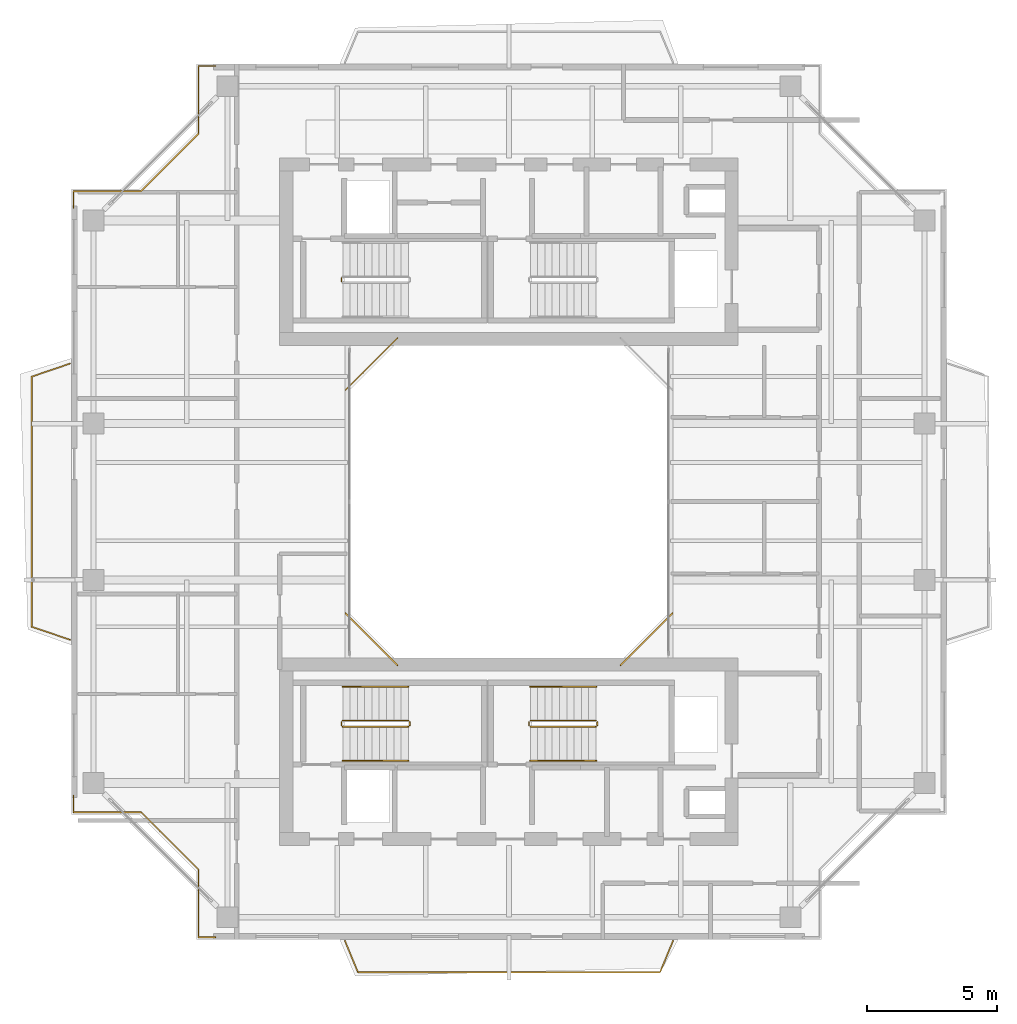
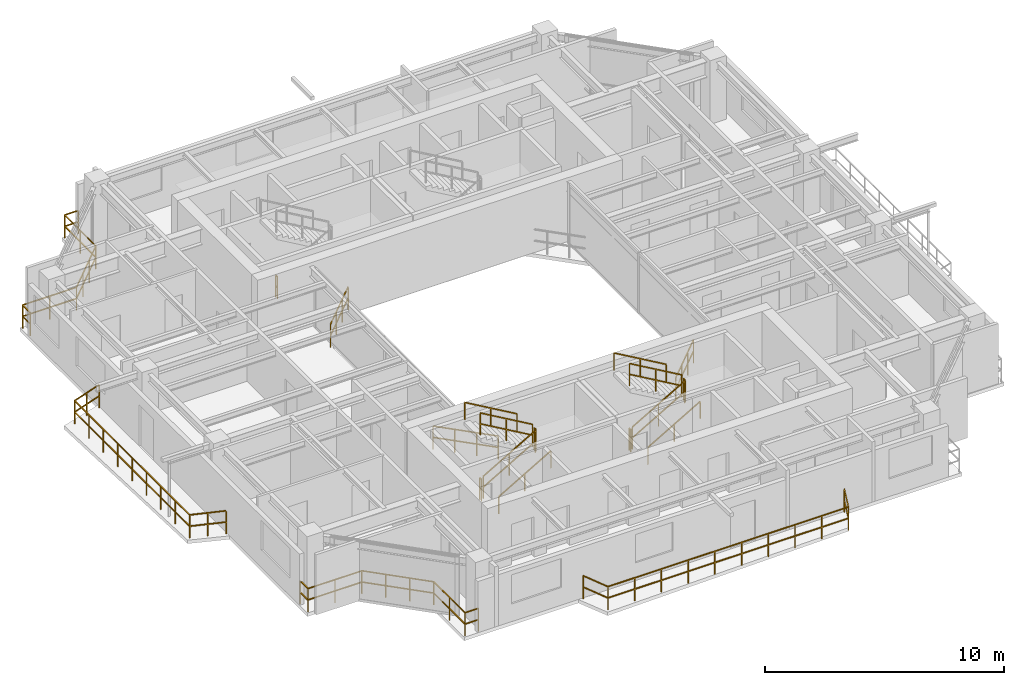
# One storey, part 14 of 15: 20 railings.
"""IFC4 building model written with IfcOpenShell, lengths in metres."""

from ifc_helpers import new_model, si_unit, direction, frame, origin, origin_2d, place, context, subcontext, project, spatial, rectangle, extrude, material, type_object, element, save


model = new_model("IFC4")

# Units and contexts
model_context = context("Model", 3, precision=1e-05, world=origin(), true_north=direction((0.0, 1.0)))
body_context = subcontext(model_context, "Body", "Model", "MODEL_VIEW")
ifc_project = project(units=[si_unit("LENGTHUNIT", "METRE"), si_unit("AREAUNIT", "SQUARE_METRE"), si_unit("VOLUMEUNIT", "CUBIC_METRE"), si_unit("PLANEANGLEUNIT", "RADIAN"), si_unit("MASSUNIT", "GRAM", prefix="KILO"), si_unit("THERMODYNAMICTEMPERATUREUNIT", "KELVIN"), si_unit("POWERUNIT", "WATT")], contexts=[model_context])

# Site, building, storey
site_placement = place(None, origin())
site = spatial("IfcSite", under=ifc_project, at=site_placement, CompositionType="ELEMENT")
building_placement = place(site_placement, origin())
building = spatial("IfcBuilding", under=site, at=building_placement, Name="Qiaomeng Ring Towers", CompositionType="ELEMENT")
storey_placement = place(building_placement, frame((0.0, 0.0, 200.25)))
storey = spatial("IfcBuildingStorey", under=building, at=storey_placement, Name="L58", CompositionType="ELEMENT", Elevation=200.25)

# Railings
ifc_material_1 = material(Name="Low-E pale-green laminated safety glass", Category="glass")
railing_type_1 = type_object("IfcRailingType", Name="ARC-RL-BAL1", PredefinedType="BALUSTRADE", material=ifc_material_1)
railing_1_placement = place(storey_placement, frame((23.280029296875, 16.719970703125, 0.0)))
element("IfcRailing", 1, at=railing_1_placement, inside=storey, type_object=railing_type_1, Name="L58 Balustrade ARC-BAL-WELL1-L58-1", PredefinedType="BALUSTRADE", context=body_context, shape_type="SweptSolid", body=[
    extrude(rectangle(XDim=0.048095703125, YDim=0.048095703125, at=origin_2d()), frame((0.0, 0.0, 1.17578125), z_axis=(0.707106781187, 0.707106781187, 0.0), x_axis=(-0.707106781187, 0.707106781187, 0.0)), (0.0, 0.0, 1.0), 2.828369140625),
    extrude(rectangle(XDim=0.048095703125, YDim=0.048095703125, at=origin_2d()), frame((0.0, 0.0, 0.60009765625), z_axis=(0.707106781187, 0.707106781187, 0.0), x_axis=(-0.707106781187, 0.707106781187, 0.0)), (0.0, 0.0, 1.0), 2.828369140625),
    extrude(rectangle(XDim=0.0419921875, YDim=0.0419921875, at=origin_2d()), origin(), (0.0, 0.0, 1.0), 1.15185546875),
    extrude(rectangle(XDim=0.0419921875, YDim=0.0419921875, at=origin_2d()), frame((0.666748046875, 0.666748046875, 0.0)), (0.0, 0.0, 1.0), 1.15185546875),
    extrude(rectangle(XDim=0.0419921875, YDim=0.0419921875, at=origin_2d()), frame((1.333251953125, 1.333251953125, 0.0)), (0.0, 0.0, 1.0), 1.15185546875),
    extrude(rectangle(XDim=0.0419921875, YDim=0.0419921875, at=origin_2d()), frame((2.0, 2.0, 0.0)), (0.0, 0.0, 1.0), 1.15185546875),
])
railing_2_placement = place(storey_placement, frame((14.719970703125, 29.280029296875, 0.0)))
element("IfcRailing", 2, at=railing_2_placement, inside=storey, type_object=railing_type_1, Name="L58 Balustrade ARC-BAL-WELL1-L58-3", PredefinedType="BALUSTRADE", context=body_context, shape_type="SweptSolid", body=[
    extrude(rectangle(XDim=0.048095703125, YDim=0.048095703125, at=origin_2d()), frame((0.0, 0.0, 1.17578125), z_axis=(-0.707106781187, -0.707106781187, 0.0), x_axis=(0.707106781187, -0.707106781187, 0.0)), (0.0, 0.0, 1.0), 2.828369140625),
    extrude(rectangle(XDim=0.048095703125, YDim=0.048095703125, at=origin_2d()), frame((0.0, 0.0, 0.60009765625), z_axis=(-0.707106781187, -0.707106781187, 0.0), x_axis=(0.707106781187, -0.707106781187, 0.0)), (0.0, 0.0, 1.0), 2.828369140625),
    extrude(rectangle(XDim=0.0419921875, YDim=0.0419921875, at=origin_2d()), origin(), (0.0, 0.0, 1.0), 1.15185546875),
    extrude(rectangle(XDim=0.0419921875, YDim=0.0419921875, at=origin_2d()), frame((-0.666748046875, -0.666748046875, 0.0)), (0.0, 0.0, 1.0), 1.15185546875),
    extrude(rectangle(XDim=0.0419921875, YDim=0.0419921875, at=origin_2d()), frame((-1.333251953125, -1.333251953125, 0.0)), (0.0, 0.0, 1.0), 1.15185546875),
    extrude(rectangle(XDim=0.0419921875, YDim=0.0419921875, at=origin_2d()), frame((-2.0, -2.0, 0.0)), (0.0, 0.0, 1.0), 1.15185546875),
])
railing_3_placement = place(storey_placement, frame((12.719970703125, 18.719970703125, 0.0)))
element("IfcRailing", 3, at=railing_3_placement, inside=storey, type_object=railing_type_1, Name="L58 Balustrade ARC-BAL-WELL1-L58-4", PredefinedType="BALUSTRADE", context=body_context, shape_type="SweptSolid", body=[
    extrude(rectangle(XDim=0.048095703125, YDim=0.048095703125, at=origin_2d()), frame((0.0, 0.0, 1.17578125), z_axis=(0.707106781187, -0.707106781187, 0.0), x_axis=(0.707106781187, 0.707106781187, 0.0)), (0.0, 0.0, 1.0), 2.828369140625),
    extrude(rectangle(XDim=0.048095703125, YDim=0.048095703125, at=origin_2d()), frame((0.0, 0.0, 0.60009765625), z_axis=(0.707106781187, -0.707106781187, 0.0), x_axis=(0.707106781187, 0.707106781187, 0.0)), (0.0, 0.0, 1.0), 2.828369140625),
    extrude(rectangle(XDim=0.0419921875, YDim=0.0419921875, at=origin_2d()), origin(), (0.0, 0.0, 1.0), 1.15185546875),
    extrude(rectangle(XDim=0.0419921875, YDim=0.0419921875, at=origin_2d()), frame((0.666748046875, -0.666748046875, 0.0)), (0.0, 0.0, 1.0), 1.15185546875),
    extrude(rectangle(XDim=0.0419921875, YDim=0.0419921875, at=origin_2d()), frame((1.333251953125, -1.333251953125, 0.0)), (0.0, 0.0, 1.0), 1.15185546875),
    extrude(rectangle(XDim=0.0419921875, YDim=0.0419921875, at=origin_2d()), frame((2.0, -2.0, 0.0)), (0.0, 0.0, 1.0), 1.15185546875),
])
railing_4_placement = place(storey_placement, frame((7.72998046875, 39.719970703125, 0.0)))
element("IfcRailing", 4, at=railing_4_placement, inside=storey, type_object=railing_type_1, Name="L58 Balustrade ARC-BAL-NOTCH1-L58-NW", PredefinedType="BALUSTRADE", context=body_context, shape_type="SweptSolid", body=[
    extrude(rectangle(XDim=0.048095703125, YDim=0.048095703125, at=origin_2d()), frame((0.0, 0.0, 1.17578125), z_axis=(-1.0, 0.0, 0.0), x_axis=(0.0, -1.0, 0.0)), (0.0, 0.0, 1.0), 0.64990234375),
    extrude(rectangle(XDim=0.048095703125, YDim=0.048095703125, at=origin_2d()), frame((0.0, 0.0, 0.60009765625), z_axis=(-1.0, 0.0, 0.0), x_axis=(0.0, -1.0, 0.0)), (0.0, 0.0, 1.0), 0.64990234375),
    extrude(rectangle(XDim=0.048095703125, YDim=0.048095703125, at=origin_2d()), frame((-0.64990234375, 0.0, 1.17578125), z_axis=(0.0, -1.0, 0.0), x_axis=(1.0, 0.0, 0.0)), (0.0, 0.0, 1.0), 2.599853515625),
    extrude(rectangle(XDim=0.048095703125, YDim=0.048095703125, at=origin_2d()), frame((-0.64990234375, 0.0, 0.60009765625), z_axis=(0.0, -1.0, 0.0), x_axis=(1.0, 0.0, 0.0)), (0.0, 0.0, 1.0), 2.599853515625),
    extrude(rectangle(XDim=0.048095703125, YDim=0.048095703125, at=origin_2d()), frame((-0.64990234375, -2.599853515625, 1.17578125), z_axis=(-0.707106781187, -0.707106781187, 0.0), x_axis=(0.707106781187, -0.707106781187, 0.0)), (0.0, 0.0, 1.0), 3.111572265625),
    extrude(rectangle(XDim=0.048095703125, YDim=0.048095703125, at=origin_2d()), frame((-0.64990234375, -2.599853515625, 0.60009765625), z_axis=(-0.707106781187, -0.707106781187, 0.0), x_axis=(0.707106781187, -0.707106781187, 0.0)), (0.0, 0.0, 1.0), 3.111572265625),
    extrude(rectangle(XDim=0.048095703125, YDim=0.048095703125, at=origin_2d()), frame((-2.85009765625, -4.800048828125, 1.17578125), z_axis=(-1.0, 0.0, 0.0), x_axis=(0.0, -1.0, 0.0)), (0.0, 0.0, 1.0), 2.599853515625),
    extrude(rectangle(XDim=0.048095703125, YDim=0.048095703125, at=origin_2d()), frame((-2.85009765625, -4.800048828125, 0.60009765625), z_axis=(-1.0, 0.0, 0.0), x_axis=(0.0, -1.0, 0.0)), (0.0, 0.0, 1.0), 2.599853515625),
    extrude(rectangle(XDim=0.048095703125, YDim=0.048095703125, at=origin_2d()), frame((-5.449951171875, -4.800048828125, 1.17578125), z_axis=(0.0, -1.0, 0.0), x_axis=(1.0, 0.0, 0.0)), (0.0, 0.0, 1.0), 0.64990234375),
    extrude(rectangle(XDim=0.048095703125, YDim=0.048095703125, at=origin_2d()), frame((-5.449951171875, -4.800048828125, 0.60009765625), z_axis=(0.0, -1.0, 0.0), x_axis=(1.0, 0.0, 0.0)), (0.0, 0.0, 1.0), 0.64990234375),
    extrude(rectangle(XDim=0.0419921875, YDim=0.0419921875, at=origin_2d()), origin(), (0.0, 0.0, 1.0), 1.15185546875),
    extrude(rectangle(XDim=0.0419921875, YDim=0.0419921875, at=origin_2d()), frame((-0.64990234375, 0.0, 0.0)), (0.0, 0.0, 1.0), 1.15185546875),
    extrude(rectangle(XDim=0.0419921875, YDim=0.0419921875, at=origin_2d()), frame((-0.64990234375, -1.2998046875, 0.0)), (0.0, 0.0, 1.0), 1.15185546875),
    extrude(rectangle(XDim=0.0419921875, YDim=0.0419921875, at=origin_2d()), frame((-0.64990234375, -2.599853515625, 0.0)), (0.0, 0.0, 1.0), 1.15185546875),
    extrude(rectangle(XDim=0.0419921875, YDim=0.0419921875, at=origin_2d()), frame((-1.38330078125, -3.333251953125, 0.0)), (0.0, 0.0, 1.0), 1.15185546875),
    extrude(rectangle(XDim=0.0419921875, YDim=0.0419921875, at=origin_2d()), frame((-2.11669921875, -4.066650390625, 0.0)), (0.0, 0.0, 1.0), 1.15185546875),
    extrude(rectangle(XDim=0.0419921875, YDim=0.0419921875, at=origin_2d()), frame((-2.85009765625, -4.800048828125, 0.0)), (0.0, 0.0, 1.0), 1.15185546875),
    extrude(rectangle(XDim=0.0419921875, YDim=0.0419921875, at=origin_2d()), frame((-4.14990234375, -4.800048828125, 0.0)), (0.0, 0.0, 1.0), 1.15185546875),
    extrude(rectangle(XDim=0.0419921875, YDim=0.0419921875, at=origin_2d()), frame((-5.449951171875, -4.800048828125, 0.0)), (0.0, 0.0, 1.0), 1.15185546875),
    extrude(rectangle(XDim=0.0419921875, YDim=0.0419921875, at=origin_2d()), frame((-5.449951171875, -5.449951171875, 0.0)), (0.0, 0.0, 1.0), 1.15185546875),
])
railing_5_placement = place(storey_placement, frame((2.280029296875, 11.72998046875, 0.0)))
element("IfcRailing", 5, at=railing_5_placement, inside=storey, type_object=railing_type_1, Name="L58 Balustrade ARC-BAL-NOTCH1-L58-SW", PredefinedType="BALUSTRADE", context=body_context, shape_type="SweptSolid", body=[
    extrude(rectangle(XDim=0.048095703125, YDim=0.048095703125, at=origin_2d()), frame((0.0, 0.0, 1.17578125), z_axis=(0.0, -1.0, 0.0), x_axis=(1.0, 0.0, 0.0)), (0.0, 0.0, 1.0), 0.64990234375),
    extrude(rectangle(XDim=0.048095703125, YDim=0.048095703125, at=origin_2d()), frame((0.0, 0.0, 0.60009765625), z_axis=(0.0, -1.0, 0.0), x_axis=(1.0, 0.0, 0.0)), (0.0, 0.0, 1.0), 0.64990234375),
    extrude(rectangle(XDim=0.048095703125, YDim=0.048095703125, at=origin_2d()), frame((0.0, -0.64990234375, 1.17578125), z_axis=(1.0, 0.0, 0.0), x_axis=(0.0, 1.0, 0.0)), (0.0, 0.0, 1.0), 2.599853515625),
    extrude(rectangle(XDim=0.048095703125, YDim=0.048095703125, at=origin_2d()), frame((0.0, -0.64990234375, 0.60009765625), z_axis=(1.0, 0.0, 0.0), x_axis=(0.0, 1.0, 0.0)), (0.0, 0.0, 1.0), 2.599853515625),
    extrude(rectangle(XDim=0.048095703125, YDim=0.048095703125, at=origin_2d()), frame((2.599853515625, -0.64990234375, 1.17578125), z_axis=(0.707106781187, -0.707106781187, 0.0), x_axis=(0.707106781187, 0.707106781187, 0.0)), (0.0, 0.0, 1.0), 3.111572265625),
    extrude(rectangle(XDim=0.048095703125, YDim=0.048095703125, at=origin_2d()), frame((2.599853515625, -0.64990234375, 0.60009765625), z_axis=(0.707106781187, -0.707106781187, 0.0), x_axis=(0.707106781187, 0.707106781187, 0.0)), (0.0, 0.0, 1.0), 3.111572265625),
    extrude(rectangle(XDim=0.048095703125, YDim=0.048095703125, at=origin_2d()), frame((4.800048828125, -2.85009765625, 1.17578125), z_axis=(0.0, -1.0, 0.0), x_axis=(1.0, 0.0, 0.0)), (0.0, 0.0, 1.0), 2.599853515625),
    extrude(rectangle(XDim=0.048095703125, YDim=0.048095703125, at=origin_2d()), frame((4.800048828125, -2.85009765625, 0.60009765625), z_axis=(0.0, -1.0, 0.0), x_axis=(1.0, 0.0, 0.0)), (0.0, 0.0, 1.0), 2.599853515625),
    extrude(rectangle(XDim=0.048095703125, YDim=0.048095703125, at=origin_2d()), frame((4.800048828125, -5.449951171875, 1.17578125), z_axis=(1.0, 0.0, 0.0), x_axis=(0.0, 1.0, 0.0)), (0.0, 0.0, 1.0), 0.64990234375),
    extrude(rectangle(XDim=0.048095703125, YDim=0.048095703125, at=origin_2d()), frame((4.800048828125, -5.449951171875, 0.60009765625), z_axis=(1.0, 0.0, 0.0), x_axis=(0.0, 1.0, 0.0)), (0.0, 0.0, 1.0), 0.64990234375),
    extrude(rectangle(XDim=0.0419921875, YDim=0.0419921875, at=origin_2d()), origin(), (0.0, 0.0, 1.0), 1.15185546875),
    extrude(rectangle(XDim=0.0419921875, YDim=0.0419921875, at=origin_2d()), frame((0.0, -0.64990234375, 0.0)), (0.0, 0.0, 1.0), 1.15185546875),
    extrude(rectangle(XDim=0.0419921875, YDim=0.0419921875, at=origin_2d()), frame((1.2998046875, -0.64990234375, 0.0)), (0.0, 0.0, 1.0), 1.15185546875),
    extrude(rectangle(XDim=0.0419921875, YDim=0.0419921875, at=origin_2d()), frame((2.599853515625, -0.64990234375, 0.0)), (0.0, 0.0, 1.0), 1.15185546875),
    extrude(rectangle(XDim=0.0419921875, YDim=0.0419921875, at=origin_2d()), frame((3.333251953125, -1.38330078125, 0.0)), (0.0, 0.0, 1.0), 1.15185546875),
    extrude(rectangle(XDim=0.0419921875, YDim=0.0419921875, at=origin_2d()), frame((4.066650390625, -2.11669921875, 0.0)), (0.0, 0.0, 1.0), 1.15185546875),
    extrude(rectangle(XDim=0.0419921875, YDim=0.0419921875, at=origin_2d()), frame((4.800048828125, -2.85009765625, 0.0)), (0.0, 0.0, 1.0), 1.15185546875),
    extrude(rectangle(XDim=0.0419921875, YDim=0.0419921875, at=origin_2d()), frame((4.800048828125, -4.14990234375, 0.0)), (0.0, 0.0, 1.0), 1.15185546875),
    extrude(rectangle(XDim=0.0419921875, YDim=0.0419921875, at=origin_2d()), frame((4.800048828125, -5.449951171875, 0.0)), (0.0, 0.0, 1.0), 1.15185546875),
    extrude(rectangle(XDim=0.0419921875, YDim=0.0419921875, at=origin_2d()), frame((5.449951171875, -5.449951171875, 0.0)), (0.0, 0.0, 1.0), 1.15185546875),
])
railing_6_placement = place(storey_placement, frame((12.699951171875, 6.14990234375, 0.0)))
element("IfcRailing", 6, at=railing_6_placement, inside=storey, type_object=railing_type_1, Name="L58 Balustrade ARC-BAL-L58-T1-S", PredefinedType="BALUSTRADE", context=body_context, shape_type="SweptSolid", body=[
    extrude(rectangle(XDim=0.048095703125, YDim=0.048095703125, at=origin_2d()), frame((0.0, 0.0, 1.17578125), z_axis=(0.381912525892, -0.924198475743, 0.0), x_axis=(0.924198475743, 0.381912525892, 0.0)), (0.0, 0.0, 1.0), 1.30908203125),
    extrude(rectangle(XDim=0.048095703125, YDim=0.048095703125, at=origin_2d()), frame((0.0, 0.0, 0.60009765625), z_axis=(0.381912525892, -0.924198475743, 0.0), x_axis=(0.924198475743, 0.381912525892, 0.0)), (0.0, 0.0, 1.0), 1.30908203125),
    extrude(rectangle(XDim=0.048095703125, YDim=0.048095703125, at=origin_2d()), frame((0.5, -1.2099609375, 1.17578125), z_axis=(1.0, 0.0, 0.0), x_axis=(0.0, 1.0, 0.0)), (0.0, 0.0, 1.0), 11.60009765625),
    extrude(rectangle(XDim=0.048095703125, YDim=0.048095703125, at=origin_2d()), frame((0.5, -1.2099609375, 0.60009765625), z_axis=(1.0, 0.0, 0.0), x_axis=(0.0, 1.0, 0.0)), (0.0, 0.0, 1.0), 11.60009765625),
    extrude(rectangle(XDim=0.048095703125, YDim=0.048095703125, at=origin_2d()), frame((12.10009765625, -1.2099609375, 1.17578125), z_axis=(0.381912525892, 0.924198475743, 0.0), x_axis=(-0.924198475743, 0.381912525892, 0.0)), (0.0, 0.0, 1.0), 1.30908203125),
    extrude(rectangle(XDim=0.048095703125, YDim=0.048095703125, at=origin_2d()), frame((12.10009765625, -1.2099609375, 0.60009765625), z_axis=(0.381912525892, 0.924198475743, 0.0), x_axis=(-0.924198475743, 0.381912525892, 0.0)), (0.0, 0.0, 1.0), 1.30908203125),
    extrude(rectangle(XDim=0.0419921875, YDim=0.0419921875, at=origin_2d()), origin(), (0.0, 0.0, 1.0), 1.15185546875),
    extrude(rectangle(XDim=0.0419921875, YDim=0.0419921875, at=origin_2d()), frame((0.5, -1.2099609375, 0.0)), (0.0, 0.0, 1.0), 1.15185546875),
    extrude(rectangle(XDim=0.0419921875, YDim=0.0419921875, at=origin_2d()), frame((1.788818359375, -1.2099609375, 0.0)), (0.0, 0.0, 1.0), 1.15185546875),
    extrude(rectangle(XDim=0.0419921875, YDim=0.0419921875, at=origin_2d()), frame((3.077880859375, -1.2099609375, 0.0)), (0.0, 0.0, 1.0), 1.15185546875),
    extrude(rectangle(XDim=0.0419921875, YDim=0.0419921875, at=origin_2d()), frame((4.36669921875, -1.2099609375, 0.0)), (0.0, 0.0, 1.0), 1.15185546875),
    extrude(rectangle(XDim=0.0419921875, YDim=0.0419921875, at=origin_2d()), frame((5.655517578125, -1.2099609375, 0.0)), (0.0, 0.0, 1.0), 1.15185546875),
    extrude(rectangle(XDim=0.0419921875, YDim=0.0419921875, at=origin_2d()), frame((6.944580078125, -1.2099609375, 0.0)), (0.0, 0.0, 1.0), 1.15185546875),
    extrude(rectangle(XDim=0.0419921875, YDim=0.0419921875, at=origin_2d()), frame((8.2333984375, -1.2099609375, 0.0)), (0.0, 0.0, 1.0), 1.15185546875),
    extrude(rectangle(XDim=0.0419921875, YDim=0.0419921875, at=origin_2d()), frame((9.522216796875, -1.2099609375, 0.0)), (0.0, 0.0, 1.0), 1.15185546875),
    extrude(rectangle(XDim=0.0419921875, YDim=0.0419921875, at=origin_2d()), frame((10.811279296875, -1.2099609375, 0.0)), (0.0, 0.0, 1.0), 1.15185546875),
    extrude(rectangle(XDim=0.0419921875, YDim=0.0419921875, at=origin_2d()), frame((12.10009765625, -1.2099609375, 0.0)), (0.0, 0.0, 1.0), 1.15185546875),
    extrude(rectangle(XDim=0.0419921875, YDim=0.0419921875, at=origin_2d()), frame((12.60009765625, 0.0, 0.0)), (0.0, 0.0, 1.0), 1.15185546875),
])
railing_7_placement = place(storey_placement, frame((2.14990234375, 17.699951171875, 0.0)))
element("IfcRailing", 7, at=railing_7_placement, inside=storey, type_object=railing_type_1, Name="L58 Balustrade ARC-BAL-L58-T1-W", PredefinedType="BALUSTRADE", context=body_context, shape_type="SweptSolid", body=[
    extrude(rectangle(XDim=0.048095703125, YDim=0.048095703125, at=origin_2d()), frame((0.0, 0.0, 1.17578125), z_axis=(-0.946731524739, 0.322023943309, 0.0), x_axis=(-0.322023943309, -0.946731524739, 0.0)), (0.0, 0.0, 1.0), 1.552734375),
    extrude(rectangle(XDim=0.048095703125, YDim=0.048095703125, at=origin_2d()), frame((0.0, 0.0, 0.60009765625), z_axis=(-0.946731524739, 0.322023943309, 0.0), x_axis=(-0.322023943309, -0.946731524739, 0.0)), (0.0, 0.0, 1.0), 1.552734375),
    extrude(rectangle(XDim=0.048095703125, YDim=0.048095703125, at=origin_2d()), frame((-1.469970703125, 0.5, 1.17578125), z_axis=(0.0, 1.0, 0.0), x_axis=(-1.0, 0.0, 0.0)), (0.0, 0.0, 1.0), 9.60009765625),
    extrude(rectangle(XDim=0.048095703125, YDim=0.048095703125, at=origin_2d()), frame((-1.469970703125, 0.5, 0.60009765625), z_axis=(0.0, 1.0, 0.0), x_axis=(-1.0, 0.0, 0.0)), (0.0, 0.0, 1.0), 9.60009765625),
    extrude(rectangle(XDim=0.048095703125, YDim=0.048095703125, at=origin_2d()), frame((-1.469970703125, 10.10009765625, 1.17578125), z_axis=(0.946731524739, 0.322023943309, 0.0), x_axis=(-0.322023943309, 0.946731524739, 0.0)), (0.0, 0.0, 1.0), 1.552734375),
    extrude(rectangle(XDim=0.048095703125, YDim=0.048095703125, at=origin_2d()), frame((-1.469970703125, 10.10009765625, 0.60009765625), z_axis=(0.946731524739, 0.322023943309, 0.0), x_axis=(-0.322023943309, 0.946731524739, 0.0)), (0.0, 0.0, 1.0), 1.552734375),
    extrude(rectangle(XDim=0.0419921875, YDim=0.0419921875, at=origin_2d()), origin(), (0.0, 0.0, 1.0), 1.15185546875),
    extrude(rectangle(XDim=0.0419921875, YDim=0.0419921875, at=origin_2d()), frame((-0.73486328125, 0.25, 0.0)), (0.0, 0.0, 1.0), 1.15185546875),
    extrude(rectangle(XDim=0.0419921875, YDim=0.0419921875, at=origin_2d()), frame((-1.469970703125, 0.5, 0.0)), (0.0, 0.0, 1.0), 1.15185546875),
    extrude(rectangle(XDim=0.0419921875, YDim=0.0419921875, at=origin_2d()), frame((-1.469970703125, 1.699951171875, 0.0)), (0.0, 0.0, 1.0), 1.15185546875),
    extrude(rectangle(XDim=0.0419921875, YDim=0.0419921875, at=origin_2d()), frame((-1.469970703125, 2.89990234375, 0.0)), (0.0, 0.0, 1.0), 1.15185546875),
    extrude(rectangle(XDim=0.0419921875, YDim=0.0419921875, at=origin_2d()), frame((-1.469970703125, 4.10009765625, 0.0)), (0.0, 0.0, 1.0), 1.15185546875),
    extrude(rectangle(XDim=0.0419921875, YDim=0.0419921875, at=origin_2d()), frame((-1.469970703125, 5.300048828125, 0.0)), (0.0, 0.0, 1.0), 1.15185546875),
    extrude(rectangle(XDim=0.0419921875, YDim=0.0419921875, at=origin_2d()), frame((-1.469970703125, 6.5, 0.0)), (0.0, 0.0, 1.0), 1.15185546875),
    extrude(rectangle(XDim=0.0419921875, YDim=0.0419921875, at=origin_2d()), frame((-1.469970703125, 7.7001953125, 0.0)), (0.0, 0.0, 1.0), 1.15185546875),
    extrude(rectangle(XDim=0.0419921875, YDim=0.0419921875, at=origin_2d()), frame((-1.469970703125, 8.900146484375, 0.0)), (0.0, 0.0, 1.0), 1.15185546875),
    extrude(rectangle(XDim=0.0419921875, YDim=0.0419921875, at=origin_2d()), frame((-1.469970703125, 10.10009765625, 0.0)), (0.0, 0.0, 1.0), 1.15185546875),
    extrude(rectangle(XDim=0.0419921875, YDim=0.0419921875, at=origin_2d()), frame((-0.73486328125, 10.35009765625, 0.0)), (0.0, 0.0, 1.0), 1.15185546875),
    extrude(rectangle(XDim=0.0419921875, YDim=0.0419921875, at=origin_2d()), frame((0.0, 10.60009765625, 0.0)), (0.0, 0.0, 1.0), 1.15185546875),
])
ifc_material_2 = material(Name="Galvanised steel", Category="steel")
railing_type_2 = type_object("IfcRailingType", Name="ARC-RL-GUARD", PredefinedType="GUARDRAIL", material=ifc_material_2)
railing_8_placement = place(storey_placement, frame((12.570068359375, 31.449951171875, 0.0)))
element("IfcRailing", 8, at=railing_8_placement, inside=storey, type_object=railing_type_2, Name="L58 ST1 stair guard 4", PredefinedType="GUARDRAIL", context=body_context, shape_type="SweptSolid", body=[
    extrude(rectangle(XDim=0.048095703125, YDim=0.048095703125, at=origin_2d()), frame((0.0, 0.0, 1.1259765625), z_axis=(0.0, 1.0, 0.0), x_axis=(-1.0, 0.0, 0.0)), (0.0, 0.0, 1.0), 0.14013671875),
    extrude(rectangle(XDim=0.048095703125, YDim=0.048095703125, at=origin_2d()), frame((0.0, 0.0, 0.574951171875), z_axis=(0.0, 1.0, 0.0), x_axis=(-1.0, 0.0, 0.0)), (0.0, 0.0, 1.0), 0.14013671875),
    extrude(rectangle(XDim=0.0419921875, YDim=0.0419921875, at=origin_2d()), origin(), (0.0, 0.0, 1.0), 1.101806640625),
    extrude(rectangle(XDim=0.0419921875, YDim=0.0419921875, at=origin_2d()), frame((0.0, 0.14013671875, 0.0)), (0.0, 0.0, 1.0), 1.101806640625),
])
railing_9_placement = place(storey_placement, frame((12.6201171875, 14.360107421875, 0.16259765625)))
element("IfcRailing", 9, at=railing_9_placement, inside=storey, type_object=railing_type_2, Name="L58 ST3 stair guard 1", PredefinedType="GUARDRAIL", context=body_context, shape_type="SweptSolid", body=[
    extrude(rectangle(XDim=0.048095703125, YDim=0.048095703125, at=origin_2d()), frame((0.0, 0.0, 1.1259765625), z_axis=(0.864892226395, 0.0, 0.501957604506), x_axis=(0.0, 1.0, 0.0)), (0.0, 0.0, 1.0), 2.913330078125),
    extrude(rectangle(XDim=0.048095703125, YDim=0.048095703125, at=origin_2d()), frame((0.0, 0.0, 0.574951171875), z_axis=(0.864892226395, 0.0, 0.501957604506), x_axis=(0.0, 1.0, 0.0)), (0.0, 0.0, 1.0), 2.913330078125),
    extrude(rectangle(XDim=0.0419921875, YDim=0.0419921875, at=origin_2d()), origin(), (0.0, 0.0, 1.0), 1.101806640625),
    extrude(rectangle(XDim=0.0419921875, YDim=0.0419921875, at=origin_2d()), frame((1.259765625, 0.0, 0.731201171875)), (0.0, 0.0, 1.0), 1.101806640625),
    extrude(rectangle(XDim=0.0419921875, YDim=0.0419921875, at=origin_2d()), frame((2.519775390625, 0.0, 1.46240234375)), (0.0, 0.0, 1.0), 1.101806640625),
])
railing_10_placement = place(storey_placement, frame((15.18994140625, 14.409912109375, 1.625)))
element("IfcRailing", 10, at=railing_10_placement, inside=storey, type_object=railing_type_2, Name="L58 ST3 stair guard 2", PredefinedType="GUARDRAIL", context=body_context, shape_type="SweptSolid", body=[
    extrude(rectangle(XDim=0.048095703125, YDim=0.048095703125, at=origin_2d()), frame((0.0, 0.0, 1.1259765625), z_axis=(0.0, 1.0, 0.0), x_axis=(-1.0, 0.0, 0.0)), (0.0, 0.0, 1.0), 0.14013671875),
    extrude(rectangle(XDim=0.048095703125, YDim=0.048095703125, at=origin_2d()), frame((0.0, 0.0, 0.574951171875), z_axis=(0.0, 1.0, 0.0), x_axis=(-1.0, 0.0, 0.0)), (0.0, 0.0, 1.0), 0.14013671875),
    extrude(rectangle(XDim=0.0419921875, YDim=0.0419921875, at=origin_2d()), origin(), (0.0, 0.0, 1.0), 1.101806640625),
    extrude(rectangle(XDim=0.0419921875, YDim=0.0419921875, at=origin_2d()), frame((0.0, 0.14013671875, 0.0)), (0.0, 0.0, 1.0), 1.101806640625),
])
railing_11_placement = place(storey_placement, frame((15.139892578125, 14.60009765625, 1.78759765625)))
element("IfcRailing", 11, at=railing_11_placement, inside=storey, type_object=railing_type_2, Name="L58 ST3 stair guard 3", PredefinedType="GUARDRAIL", context=body_context, shape_type="SweptSolid", body=[
    extrude(rectangle(XDim=0.048095703125, YDim=0.048095703125, at=origin_2d()), frame((0.0, 0.0, 1.1259765625), z_axis=(-0.864892226395, 0.0, 0.501957604506), x_axis=(0.0, -1.0, 0.0)), (0.0, 0.0, 1.0), 2.913330078125),
    extrude(rectangle(XDim=0.048095703125, YDim=0.048095703125, at=origin_2d()), frame((0.0, 0.0, 0.574951171875), z_axis=(-0.864892226395, 0.0, 0.501957604506), x_axis=(0.0, -1.0, 0.0)), (0.0, 0.0, 1.0), 2.913330078125),
    extrude(rectangle(XDim=0.0419921875, YDim=0.0419921875, at=origin_2d()), origin(), (0.0, 0.0, 1.0), 1.101806640625),
    extrude(rectangle(XDim=0.0419921875, YDim=0.0419921875, at=origin_2d()), frame((-1.259765625, 0.0, 0.731201171875)), (0.0, 0.0, 1.0), 1.101806640625),
    extrude(rectangle(XDim=0.0419921875, YDim=0.0419921875, at=origin_2d()), frame((-2.519775390625, 0.0, 1.46240234375)), (0.0, 0.0, 1.0), 1.101806640625),
])
railing_12_placement = place(storey_placement, frame((12.570068359375, 14.409912109375, 0.0)))
element("IfcRailing", 12, at=railing_12_placement, inside=storey, type_object=railing_type_2, Name="L58 ST3 stair guard 4", PredefinedType="GUARDRAIL", context=body_context, shape_type="SweptSolid", body=[
    extrude(rectangle(XDim=0.048095703125, YDim=0.048095703125, at=origin_2d()), frame((0.0, 0.0, 1.1259765625), z_axis=(0.0, 1.0, 0.0), x_axis=(-1.0, 0.0, 0.0)), (0.0, 0.0, 1.0), 0.14013671875),
    extrude(rectangle(XDim=0.048095703125, YDim=0.048095703125, at=origin_2d()), frame((0.0, 0.0, 0.574951171875), z_axis=(0.0, 1.0, 0.0), x_axis=(-1.0, 0.0, 0.0)), (0.0, 0.0, 1.0), 0.14013671875),
    extrude(rectangle(XDim=0.0419921875, YDim=0.0419921875, at=origin_2d()), origin(), (0.0, 0.0, 1.0), 1.101806640625),
    extrude(rectangle(XDim=0.0419921875, YDim=0.0419921875, at=origin_2d()), frame((0.0, 0.14013671875, 0.0)), (0.0, 0.0, 1.0), 1.101806640625),
])
railing_13_placement = place(storey_placement, frame((19.820068359375, 14.360107421875, 0.16259765625)))
element("IfcRailing", 13, at=railing_13_placement, inside=storey, type_object=railing_type_2, Name="L58 ST4 stair guard 1", PredefinedType="GUARDRAIL", context=body_context, shape_type="SweptSolid", body=[
    extrude(rectangle(XDim=0.048095703125, YDim=0.048095703125, at=origin_2d()), frame((0.0, 0.0, 1.1259765625), z_axis=(0.864913338283, 0.0, 0.50192122615), x_axis=(0.0, 1.0, 0.0)), (0.0, 0.0, 1.0), 2.91357421875),
    extrude(rectangle(XDim=0.048095703125, YDim=0.048095703125, at=origin_2d()), frame((0.0, 0.0, 0.574951171875), z_axis=(0.864913338283, 0.0, 0.50192122615), x_axis=(0.0, 1.0, 0.0)), (0.0, 0.0, 1.0), 2.91357421875),
    extrude(rectangle(XDim=0.0419921875, YDim=0.0419921875, at=origin_2d()), origin(), (0.0, 0.0, 1.0), 1.101806640625),
    extrude(rectangle(XDim=0.0419921875, YDim=0.0419921875, at=origin_2d()), frame((1.260009765625, 0.0, 0.731201171875)), (0.0, 0.0, 1.0), 1.101806640625),
    extrude(rectangle(XDim=0.0419921875, YDim=0.0419921875, at=origin_2d()), frame((2.52001953125, 0.0, 1.46240234375)), (0.0, 0.0, 1.0), 1.101806640625),
])
railing_14_placement = place(storey_placement, frame((22.389892578125, 14.409912109375, 1.625)))
element("IfcRailing", 14, at=railing_14_placement, inside=storey, type_object=railing_type_2, Name="L58 ST4 stair guard 2", PredefinedType="GUARDRAIL", context=body_context, shape_type="SweptSolid", body=[
    extrude(rectangle(XDim=0.048095703125, YDim=0.048095703125, at=origin_2d()), frame((0.0, 0.0, 1.1259765625), z_axis=(0.0, 1.0, 0.0), x_axis=(-1.0, 0.0, 0.0)), (0.0, 0.0, 1.0), 0.14013671875),
    extrude(rectangle(XDim=0.048095703125, YDim=0.048095703125, at=origin_2d()), frame((0.0, 0.0, 0.574951171875), z_axis=(0.0, 1.0, 0.0), x_axis=(-1.0, 0.0, 0.0)), (0.0, 0.0, 1.0), 0.14013671875),
    extrude(rectangle(XDim=0.0419921875, YDim=0.0419921875, at=origin_2d()), origin(), (0.0, 0.0, 1.0), 1.101806640625),
    extrude(rectangle(XDim=0.0419921875, YDim=0.0419921875, at=origin_2d()), frame((0.0, 0.14013671875, 0.0)), (0.0, 0.0, 1.0), 1.101806640625),
])
railing_15_placement = place(storey_placement, frame((22.340087890625, 14.60009765625, 1.78759765625)))
element("IfcRailing", 15, at=railing_15_placement, inside=storey, type_object=railing_type_2, Name="L58 ST4 stair guard 3", PredefinedType="GUARDRAIL", context=body_context, shape_type="SweptSolid", body=[
    extrude(rectangle(XDim=0.048095703125, YDim=0.048095703125, at=origin_2d()), frame((0.0, 0.0, 1.1259765625), z_axis=(-0.864913338283, 0.0, 0.50192122615), x_axis=(0.0, -1.0, 0.0)), (0.0, 0.0, 1.0), 2.91357421875),
    extrude(rectangle(XDim=0.048095703125, YDim=0.048095703125, at=origin_2d()), frame((0.0, 0.0, 0.574951171875), z_axis=(-0.864913338283, 0.0, 0.50192122615), x_axis=(0.0, -1.0, 0.0)), (0.0, 0.0, 1.0), 2.91357421875),
    extrude(rectangle(XDim=0.0419921875, YDim=0.0419921875, at=origin_2d()), origin(), (0.0, 0.0, 1.0), 1.101806640625),
    extrude(rectangle(XDim=0.0419921875, YDim=0.0419921875, at=origin_2d()), frame((-1.260009765625, 0.0, 0.731201171875)), (0.0, 0.0, 1.0), 1.101806640625),
    extrude(rectangle(XDim=0.0419921875, YDim=0.0419921875, at=origin_2d()), frame((-2.52001953125, 0.0, 1.46240234375)), (0.0, 0.0, 1.0), 1.101806640625),
])
railing_16_placement = place(storey_placement, frame((19.77001953125, 14.409912109375, 0.0)))
element("IfcRailing", 16, at=railing_16_placement, inside=storey, type_object=railing_type_2, Name="L58 ST4 stair guard 4", PredefinedType="GUARDRAIL", context=body_context, shape_type="SweptSolid", body=[
    extrude(rectangle(XDim=0.048095703125, YDim=0.048095703125, at=origin_2d()), frame((0.0, 0.0, 1.1259765625), z_axis=(0.0, 1.0, 0.0), x_axis=(-1.0, 0.0, 0.0)), (0.0, 0.0, 1.0), 0.14013671875),
    extrude(rectangle(XDim=0.048095703125, YDim=0.048095703125, at=origin_2d()), frame((0.0, 0.0, 0.574951171875), z_axis=(0.0, 1.0, 0.0), x_axis=(-1.0, 0.0, 0.0)), (0.0, 0.0, 1.0), 0.14013671875),
    extrude(rectangle(XDim=0.0419921875, YDim=0.0419921875, at=origin_2d()), origin(), (0.0, 0.0, 1.0), 1.101806640625),
    extrude(rectangle(XDim=0.0419921875, YDim=0.0419921875, at=origin_2d()), frame((0.0, 0.14013671875, 0.0)), (0.0, 0.0, 1.0), 1.101806640625),
])
ifc_material_3 = material(Name="Stainless steel 316", Category="steel")
railing_type_3 = type_object("IfcRailingType", Name="ARC-RL-HAND", PredefinedType="HANDRAIL", material=ifc_material_3)
railing_17_placement = place(storey_placement, frame((12.6201171875, 13.06005859375, 0.16259765625)))
element("IfcRailing", 17, at=railing_17_placement, inside=storey, type_object=railing_type_3, Name="L58 ST3 stair handrail 1", PredefinedType="HANDRAIL", context=body_context, shape_type="SweptSolid", body=[
    extrude(rectangle(XDim=0.048095703125, YDim=0.048095703125, at=origin_2d()), frame((0.0, 0.0, 0.8759765625), z_axis=(0.864892226395, 0.0, 0.501957604506), x_axis=(0.0, 1.0, 0.0)), (0.0, 0.0, 1.0), 2.913330078125),
    extrude(rectangle(XDim=0.0419921875, YDim=0.0419921875, at=origin_2d()), origin(), (0.0, 0.0, 1.0), 0.851806640625),
    extrude(rectangle(XDim=0.0419921875, YDim=0.0419921875, at=origin_2d()), frame((1.259765625, 0.0, 0.731201171875)), (0.0, 0.0, 1.0), 0.851806640625),
    extrude(rectangle(XDim=0.0419921875, YDim=0.0419921875, at=origin_2d()), frame((2.519775390625, 0.0, 1.46240234375)), (0.0, 0.0, 1.0), 0.851806640625),
])
railing_18_placement = place(storey_placement, frame((15.139892578125, 15.89990234375, 1.78759765625)))
element("IfcRailing", 18, at=railing_18_placement, inside=storey, type_object=railing_type_3, Name="L58 ST3 stair handrail 2", PredefinedType="HANDRAIL", context=body_context, shape_type="SweptSolid", body=[
    extrude(rectangle(XDim=0.048095703125, YDim=0.048095703125, at=origin_2d()), frame((0.0, 0.0, 0.8759765625), z_axis=(-0.864892226395, 0.0, 0.501957604506), x_axis=(0.0, -1.0, 0.0)), (0.0, 0.0, 1.0), 2.913330078125),
    extrude(rectangle(XDim=0.0419921875, YDim=0.0419921875, at=origin_2d()), origin(), (0.0, 0.0, 1.0), 0.851806640625),
    extrude(rectangle(XDim=0.0419921875, YDim=0.0419921875, at=origin_2d()), frame((-1.259765625, 0.0, 0.731201171875)), (0.0, 0.0, 1.0), 0.851806640625),
    extrude(rectangle(XDim=0.0419921875, YDim=0.0419921875, at=origin_2d()), frame((-2.519775390625, 0.0, 1.46240234375)), (0.0, 0.0, 1.0), 0.851806640625),
])
railing_19_placement = place(storey_placement, frame((19.820068359375, 13.06005859375, 0.16259765625)))
element("IfcRailing", 19, at=railing_19_placement, inside=storey, type_object=railing_type_3, Name="L58 ST4 stair handrail 1", PredefinedType="HANDRAIL", context=body_context, shape_type="SweptSolid", body=[
    extrude(rectangle(XDim=0.048095703125, YDim=0.048095703125, at=origin_2d()), frame((0.0, 0.0, 0.8759765625), z_axis=(0.864913338283, 0.0, 0.50192122615), x_axis=(0.0, 1.0, 0.0)), (0.0, 0.0, 1.0), 2.91357421875),
    extrude(rectangle(XDim=0.0419921875, YDim=0.0419921875, at=origin_2d()), origin(), (0.0, 0.0, 1.0), 0.851806640625),
    extrude(rectangle(XDim=0.0419921875, YDim=0.0419921875, at=origin_2d()), frame((1.260009765625, 0.0, 0.731201171875)), (0.0, 0.0, 1.0), 0.851806640625),
    extrude(rectangle(XDim=0.0419921875, YDim=0.0419921875, at=origin_2d()), frame((2.52001953125, 0.0, 1.46240234375)), (0.0, 0.0, 1.0), 0.851806640625),
])
railing_20_placement = place(storey_placement, frame((22.340087890625, 15.89990234375, 1.78759765625)))
element("IfcRailing", 20, at=railing_20_placement, inside=storey, type_object=railing_type_3, Name="L58 ST4 stair handrail 2", PredefinedType="HANDRAIL", context=body_context, shape_type="SweptSolid", body=[
    extrude(rectangle(XDim=0.048095703125, YDim=0.048095703125, at=origin_2d()), frame((0.0, 0.0, 0.8759765625), z_axis=(-0.864913338283, 0.0, 0.50192122615), x_axis=(0.0, -1.0, 0.0)), (0.0, 0.0, 1.0), 2.91357421875),
    extrude(rectangle(XDim=0.0419921875, YDim=0.0419921875, at=origin_2d()), origin(), (0.0, 0.0, 1.0), 0.851806640625),
    extrude(rectangle(XDim=0.0419921875, YDim=0.0419921875, at=origin_2d()), frame((-1.260009765625, 0.0, 0.731201171875)), (0.0, 0.0, 1.0), 0.851806640625),
    extrude(rectangle(XDim=0.0419921875, YDim=0.0419921875, at=origin_2d()), frame((-2.52001953125, 0.0, 1.46240234375)), (0.0, 0.0, 1.0), 0.851806640625),
])

save(model, "model.ifc")
